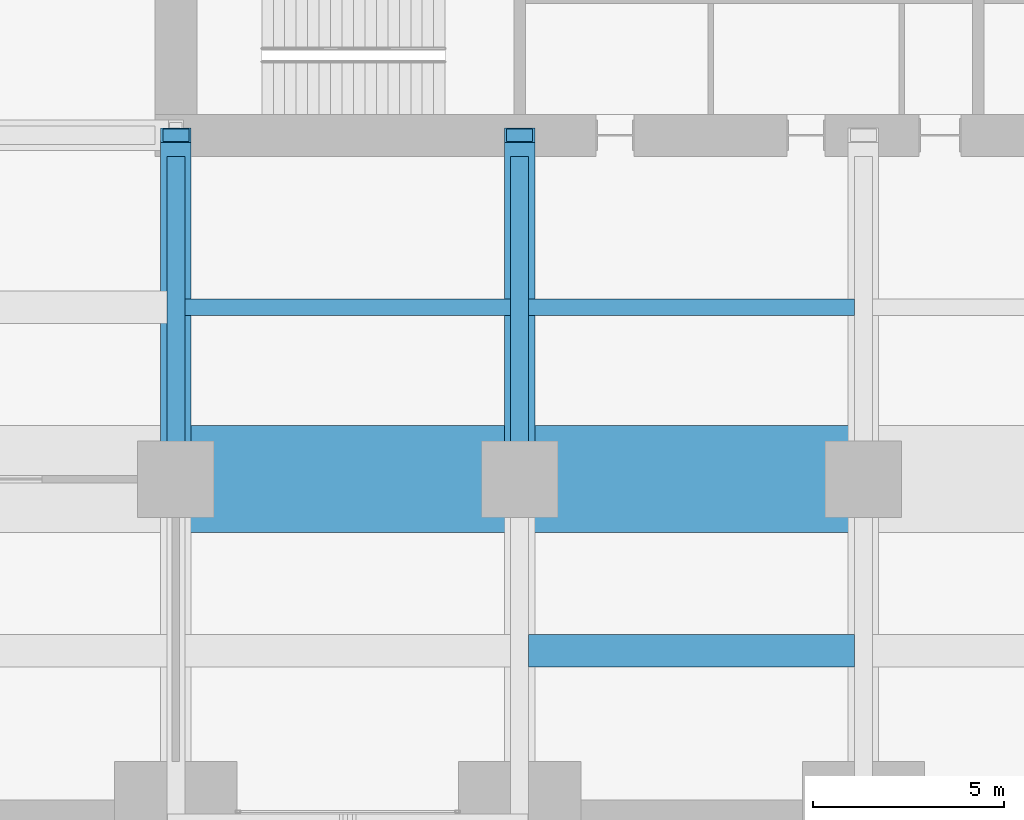
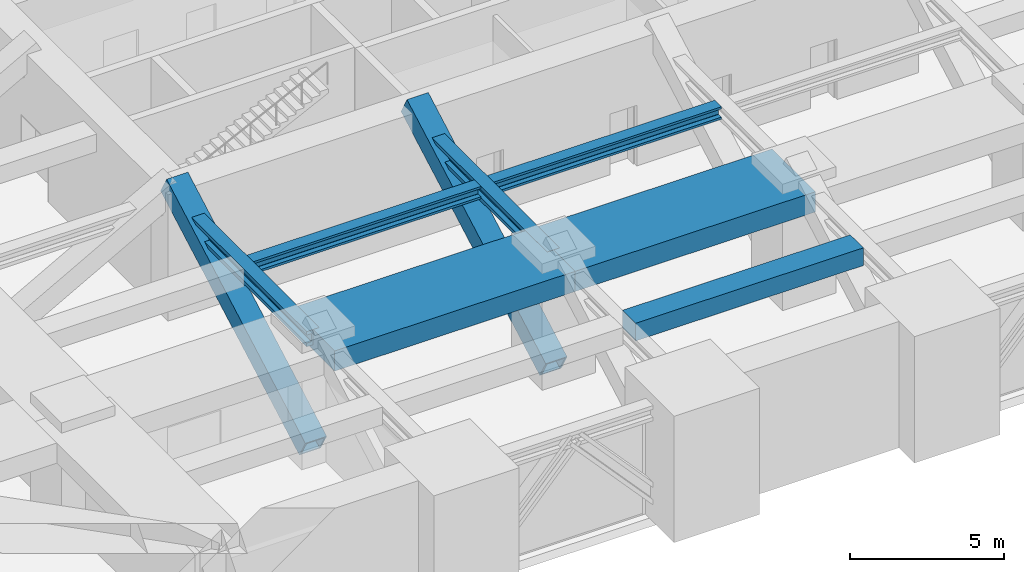
# One storey, part 8 of 38: 7 beams, 2 members.
"""IFC4 building model written with IfcOpenShell, lengths in metres."""

from ifc_helpers import new_model, si_unit, direction, frame, origin, origin_2d, place, context, subcontext, project, spatial, rectangle, hollow_rectangle, i_section, extrude, material, material_profile, profile_set, type_object, element, save


model = new_model("IFC4")

# Units and contexts
model_context = context("Model", 3, precision=1e-05, world=origin(), true_north=direction((0.0, 1.0)))
body_context = subcontext(model_context, "Body", "Model", "MODEL_VIEW")
ifc_project = project(units=[si_unit("LENGTHUNIT", "METRE"), si_unit("AREAUNIT", "SQUARE_METRE"), si_unit("VOLUMEUNIT", "CUBIC_METRE"), si_unit("PLANEANGLEUNIT", "RADIAN"), si_unit("MASSUNIT", "GRAM", prefix="KILO")], contexts=[model_context])

# Site, building, storey
site_placement = place(None, origin())
site = spatial("IfcSite", under=ifc_project, at=site_placement, CompositionType="ELEMENT")
building_placement = place(site_placement, origin())
building = spatial("IfcBuilding", under=site, at=building_placement, Name="Zorevar Civic Tower", CompositionType="ELEMENT")
storey_placement = place(building_placement, frame((0.0, 0.0, 157.199951171875)))
storey = spatial("IfcBuildingStorey", under=building, at=storey_placement, Name="L38", CompositionType="ELEMENT", Elevation=157.199951171875)

# Beams
ifc_material_1 = material(Name="Concrete C50/60", Category="concrete")
ifc_material_profile_1 = material_profile(ifc_material_1, rectangle(XDim=2.800048828125, YDim=0.800048828125, at=origin_2d()), Name="RC 2800x800")
ifc_profile_set_1 = profile_set([ifc_material_profile_1], Name="Concrete C50/60")
beam_type_1 = type_object("IfcBeamType", Name="Beam RC 2800x800", PredefinedType="BEAM", material=ifc_profile_set_1)
for number, where, z_axis, x_axis, name in (
    (1, (18.0, 9.0, 4.199951171875), (1.0, 0.0, 0.0), (0.0, 1.0, 0.0), "Girder L39"),
    (2, (27.0, 9.0, 4.199951171875), (1.0, 0.0, 0.0), (0.0, 1.0, 0.0), "Girder L39"),
):
    element("IfcBeam", number, at=place(storey_placement, frame(where, z_axis=z_axis, x_axis=x_axis)), inside=storey, type_object=beam_type_1, Name=name, PredefinedType="BEAM", context=body_context, shape_type="SweptSolid", body=[
        extrude(rectangle(XDim=2.800048828125, YDim=0.800048828125, at=origin_2d()), origin(), (0.0, 0.0, 1.0), 9.0),
    ])
ifc_material_2 = material(Name="Concrete C50/60", Category="concrete")
ifc_material_profile_2 = material_profile(ifc_material_2, rectangle(XDim=0.85009765625, YDim=0.699951171875, at=origin_2d()), Name="RC 850x700")
ifc_profile_set_2 = profile_set([ifc_material_profile_2], Name="Concrete C50/60")
beam_type_2 = type_object("IfcBeamType", Name="Beam RC 850x700", PredefinedType="BEAM", material=ifc_profile_set_2)
beam_placement = place(storey_placement, frame((27.238037109375, 4.5, 4.25), z_axis=(1.0, 0.0, 0.0), x_axis=(0.0, 1.0, 0.0)))
element("IfcBeam", 3, at=beam_placement, inside=storey, type_object=beam_type_2, Name="Secondary beam L39", PredefinedType="BEAM", context=body_context, shape_type="SweptSolid", body=[
    extrude(rectangle(XDim=0.85009765625, YDim=0.699951171875, at=origin_2d()), origin(), (0.0, 0.0, 1.0), 8.52392578125),
])
ifc_material_3 = material(Name="Steel S460M (HISTAR 460)", Category="steel")
ifc_material_profile_3 = material_profile(ifc_material_3, i_section(OverallWidth=0.431884765625, OverallDepth=0.498046875, WebThickness=0.0556640625, FlangeThickness=0.0888671875, FilletRadius=0.014892578125, at=origin_2d()), Name="HD 400x744")
ifc_profile_set_3 = profile_set([ifc_material_profile_3], Name="Steel S460M (HISTAR 460)")
beam_type_3 = type_object("IfcBeamType", Name="Core bay beam HD 400x744", PredefinedType="BEAM", material=ifc_profile_set_3)
for number, where, z_axis, x_axis, name in (
    (4, (18.238037109375, 13.5, 4.35107421875), (1.0, 0.0, 0.0), (0.0, 1.0, 0.0), "Secondary beam L39"),
    (5, (27.238037109375, 13.5, 4.35107421875), (1.0, 0.0, 0.0), (0.0, 1.0, 0.0), "Secondary beam L39"),
):
    element("IfcBeam", number, at=place(storey_placement, frame(where, z_axis=z_axis, x_axis=x_axis)), inside=storey, type_object=beam_type_3, Name=name, PredefinedType="BEAM", context=body_context, shape_type="SweptSolid", body=[
        extrude(i_section(OverallWidth=0.431884765625, OverallDepth=0.498046875, WebThickness=0.0556640625, FlangeThickness=0.0888671875, FilletRadius=0.014892578125, at=origin_2d()), origin(), (0.0, 0.0, 1.0), 8.52392578125),
    ])
ifc_material_4 = material(Name="Steel S460M (HISTAR 460)", Category="steel")
ifc_material_profile_4 = material_profile(ifc_material_4, i_section(OverallWidth=0.47607421875, OverallDepth=0.60009765625, WebThickness=0.10009765625, FlangeThickness=0.139892578125, FilletRadius=0.014892578125, at=origin_2d()), Name="HD 400x1299")
ifc_profile_set_4 = profile_set([ifc_material_profile_4], Name="Steel S460M (HISTAR 460)")
beam_type_4 = type_object("IfcBeamType", Name="Outrigger chord HD 400x1299", PredefinedType="BEAM", material=ifc_profile_set_4)
for number, where, z_axis, x_axis, name in (
    (6, (18.0, 9.0, 4.300048828125), (0.0, 1.0, 0.0), (-1.0, 0.0, 0.0), "Outrigger chord L39"),
    (7, (27.0, 9.0, 4.300048828125), (0.0, 1.0, 0.0), (-1.0, 0.0, 0.0), "Outrigger chord L39"),
):
    element("IfcBeam", number, at=place(storey_placement, frame(where, z_axis=z_axis, x_axis=x_axis)), inside=storey, type_object=beam_type_4, Name=name, PredefinedType="BEAM", context=body_context, shape_type="SweptSolid", body=[
        extrude(i_section(OverallWidth=0.47607421875, OverallDepth=0.60009765625, WebThickness=0.10009765625, FlangeThickness=0.139892578125, FilletRadius=0.014892578125, at=origin_2d()), origin(), (0.0, 0.0, 1.0), 8.449951171875),
    ])

# Members
ifc_material_5 = material(Name="Steel S460M (HISTAR 460)", Category="steel")
ifc_material_profile_5 = material_profile(ifc_material_5, hollow_rectangle(XDim=0.800048828125, YDim=0.800048828125, WallThickness=0.06005859375, at=origin_2d()), Name="BOX 800x800x60")
ifc_profile_set_5 = profile_set([ifc_material_profile_5], Name="Steel S460M (HISTAR 460)")
member_type = type_object("IfcMemberType", Name="Outrigger diagonal BOX 800x800x60", PredefinedType="BRACE", material=ifc_profile_set_5)
for number, where, z_axis, x_axis, name in (
    (8, (18.0, 18.0, 5.0), (0.0, -0.874157276122, -0.485642931179), (1.0, 0.0, 0.0), "Outrigger diagonal S L38"),
    (9, (27.0, 18.0, 5.0), (0.0, -0.874157276122, -0.485642931179), (1.0, 0.0, 0.0), "Outrigger diagonal S L38"),
):
    element("IfcMember", number, at=place(storey_placement, frame(where, z_axis=z_axis, x_axis=x_axis)), inside=storey, type_object=member_type, Name=name, PredefinedType="BRACE", context=body_context, shape_type="SweptSolid", body=[
        extrude(hollow_rectangle(XDim=0.800048828125, YDim=0.800048828125, WallThickness=0.06005859375, at=origin_2d()), origin(), (0.0, 0.0, 1.0), 10.295654296875),
    ])

save(model, "model.ifc")
